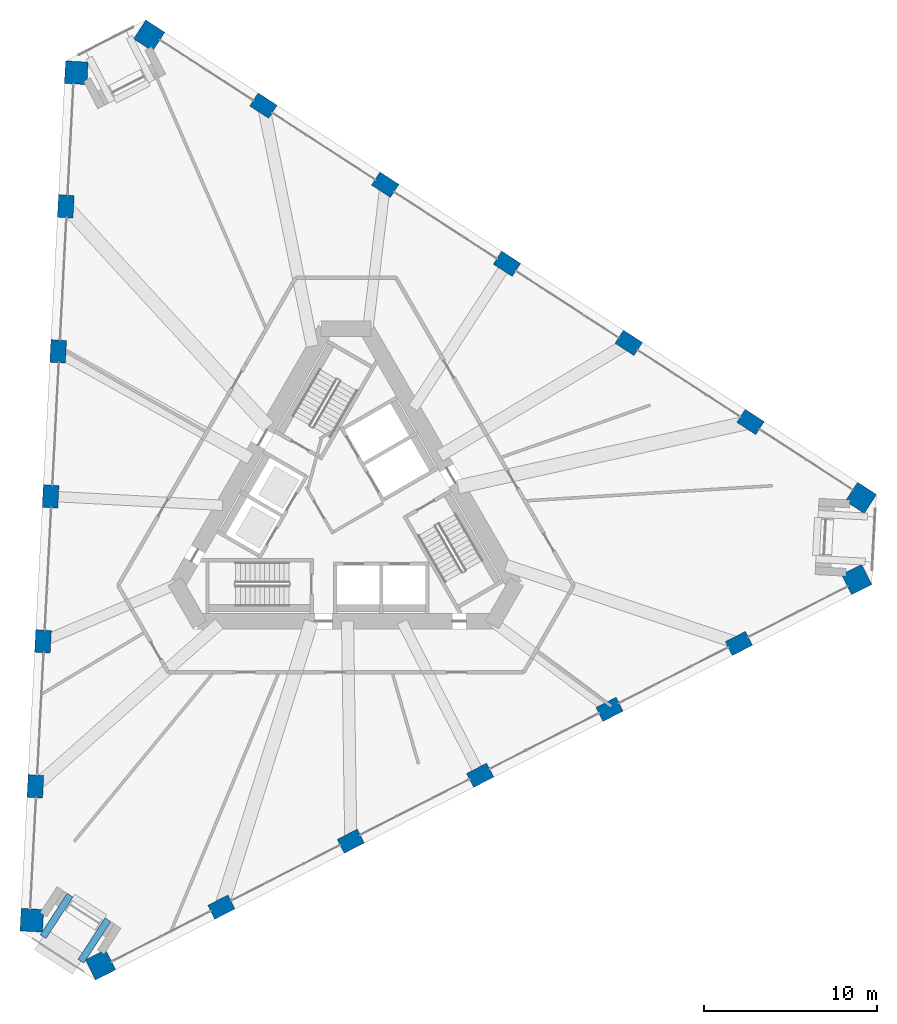
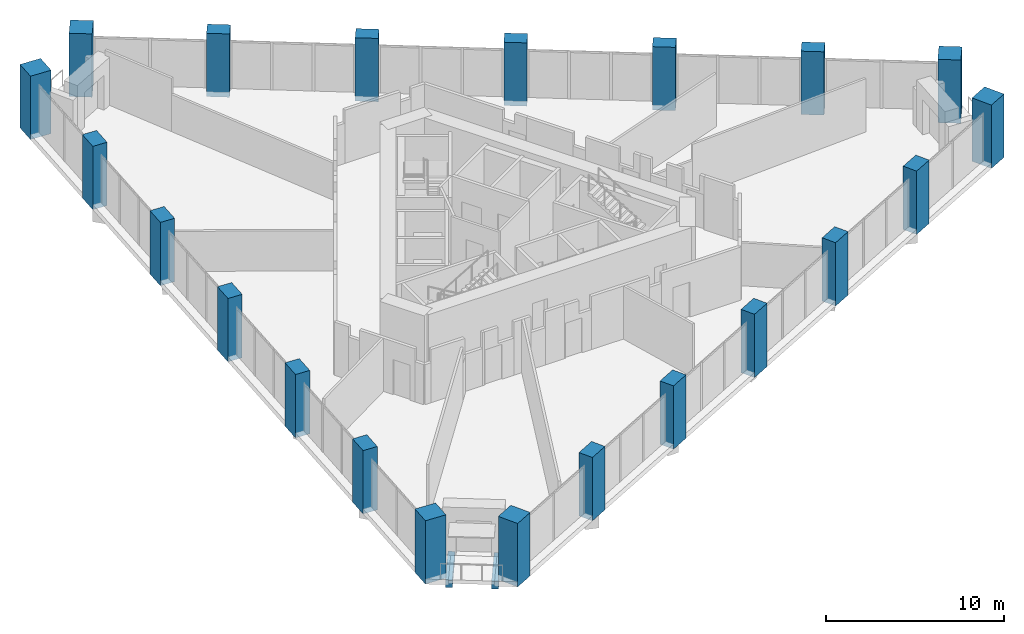
# One storey, part 1 of 18: 21 columns, 2 beams.
"""IFC4 building model written with IfcOpenShell, lengths in metres."""

from ifc_helpers import new_model, si_unit, direction, frame, origin, origin_2d, place, context, subcontext, project, spatial, rectangle, extrude, material, material_profile, profile_set, type_object, element, save


model = new_model("IFC4")

# Units and contexts
model_context = context("Model", 3, precision=1e-05, world=origin(), true_north=direction((0.0, 1.0)))
body_context = subcontext(model_context, "Body", "Model", "MODEL_VIEW")
ifc_project = project(units=[si_unit("LENGTHUNIT", "METRE"), si_unit("AREAUNIT", "SQUARE_METRE"), si_unit("VOLUMEUNIT", "CUBIC_METRE"), si_unit("PLANEANGLEUNIT", "RADIAN"), si_unit("MASSUNIT", "GRAM", prefix="KILO")], contexts=[model_context])

# Site, building, storey
site_placement = place(None, origin())
site = spatial("IfcSite", under=ifc_project, at=site_placement, CompositionType="ELEMENT")
building_placement = place(site_placement, origin())
building = spatial("IfcBuilding", under=site, at=building_placement, Name="Tramontana Tower", CompositionType="ELEMENT")
storey_placement = place(building_placement, frame((0.0, 0.0, 125.60009765625)))
storey = spatial("IfcBuildingStorey", under=building, at=storey_placement, Name="L28", CompositionType="ELEMENT", Elevation=125.60009765625)

# Columns
ifc_material_1 = material(Name="Concrete 70 MPa", Category="concrete")
ifc_material_profile_1 = material_profile(ifc_material_1, rectangle(XDim=1.300048828125, YDim=1.300048828125, at=origin_2d()), Name="Mega column 1300X1300 70 MPa")
ifc_profile_set_1 = profile_set([ifc_material_profile_1], Name="Concrete 70 MPa")
column_type_1 = type_object("IfcColumnType", Name="Mega column 1300X1300 70 MPa", PredefinedType="COLUMN", material=ifc_profile_set_1)
for number, where, z_axis, x_axis, name in (
    (1, (-15.546630859375, 25.31298828125, -0.35009765625), (0.0, 0.0, 1.0), (-0.052335956243, -0.998629534755, 0.0), "Mega column C3K1 L28"),
    (2, (-18.107177734375, -23.54931640625, -0.35009765625), (0.0, 0.0, 1.0), (-0.052335956243, -0.998629534755, 0.0), "Mega column C3K2 L28"),
    (3, (-14.1484375, -26.1201171875, -0.35009765625), (0.0, 0.0, 1.0), (0.891006524188, 0.45399049974, 0.0), "Mega column C3K3 L28"),
    (4, (29.447998046875, -3.90673828125, -0.35009765625), (0.0, 0.0, 1.0), (0.891006524188, 0.45399049974, 0.0), "Mega column C3K4 L28"),
    (5, (29.695068359375, 0.80712890625, -0.35009765625), (0.0, 0.0, 1.0), (-0.838670567945, 0.544639035015, 0.0), "Mega column C3K5 L28"),
    (6, (-11.340576171875, 27.4560546875, -0.35009765625), (0.0, 0.0, 1.0), (-0.838670567945, 0.544639035015, 0.0), "Mega column C3K6 L28"),
):
    element("IfcColumn", number, at=place(storey_placement, frame(where, z_axis=z_axis, x_axis=x_axis)), inside=storey, type_object=column_type_1, Name=name, PredefinedType="COLUMN", context=body_context, shape_type="SweptSolid", body=[
        extrude(rectangle(XDim=1.300048828125, YDim=1.300048828125, at=origin_2d()), origin(), (0.0, 0.0, 1.0), 4.35009765625),
    ])
ifc_material_2 = material(Name="Concrete 55 MPa", Category="concrete")
ifc_material_profile_2 = material_profile(ifc_material_2, rectangle(XDim=1.300048828125, YDim=0.89990234375, at=origin_2d()), Name="Pier column 1300X900 55 MPa")
ifc_profile_set_2 = profile_set([ifc_material_profile_2], Name="Concrete 55 MPa")
column_type_2 = type_object("IfcColumnType", Name="Pier column 1300X900 55 MPa", PredefinedType="COLUMN", material=ifc_profile_set_2)
for number, where, z_axis, x_axis, name in (
    (7, (-16.150390625, 17.612548828125, -0.35009765625), (0.0, 0.0, 1.0), (-0.052335956243, -0.998629534755, 0.0), "Pier column C3F01 L28"),
    (8, (-16.58837890625, 9.25244140625, -0.35009765625), (0.0, 0.0, 1.0), (-0.052335956243, -0.998629534755, 0.0), "Pier column C3F02 L28"),
    (9, (-17.026611328125, 0.892333984375, -0.35009765625), (0.0, 0.0, 1.0), (-0.052335956243, -0.998629534755, 0.0), "Pier column C3F03 L28"),
    (10, (-17.46484375, -7.4677734375, -0.35009765625), (0.0, 0.0, 1.0), (-0.052335956243, -0.998629534755, 0.0), "Pier column C3F04 L28"),
    (11, (-17.90283203125, -15.827880859375, -0.35009765625), (0.0, 0.0, 1.0), (-0.052335956243, -0.998629534755, 0.0), "Pier column C3F05 L28"),
    (12, (-7.177734375, -22.79296875, -0.35009765625), (0.0, 0.0, 1.0), (0.891006524188, 0.45399049974, 0.0), "Pier column C3F06 L28"),
    (13, (0.281494140625, -18.9921875, -0.35009765625), (0.0, 0.0, 1.0), (0.891006524188, 0.45399049974, 0.0), "Pier column C3F07 L28"),
    (14, (7.740478515625, -15.191650390625, -0.35009765625), (0.0, 0.0, 1.0), (0.891006524188, 0.45399049974, 0.0), "Pier column C3F08 L28"),
    (15, (15.19970703125, -11.39111328125, -0.35009765625), (0.0, 0.0, 1.0), (0.891006524188, 0.45399049974, 0.0), "Pier column C3F09 L28"),
    (16, (22.65869140625, -7.59033203125, -0.35009765625), (0.0, 0.0, 1.0), (0.891006524188, 0.45399049974, 0.0), "Pier column C3F10 L28"),
    (17, (23.328125, 5.180419921875, -0.35009765625), (0.0, 0.0, 1.0), (-0.838670567945, 0.544639035015, 0.0), "Pier column C3F11 L28"),
    (18, (16.30712890625, 9.73974609375, -0.35009765625), (0.0, 0.0, 1.0), (-0.838670567945, 0.544639035015, 0.0), "Pier column C3F12 L28"),
    (19, (9.2861328125, 14.29931640625, -0.35009765625), (0.0, 0.0, 1.0), (-0.838670567945, 0.544639035015, 0.0), "Pier column C3F13 L28"),
    (20, (2.26513671875, 18.85888671875, -0.35009765625), (0.0, 0.0, 1.0), (-0.838670567945, 0.544639035015, 0.0), "Pier column C3F14 L28"),
    (21, (-4.755859375, 23.418212890625, -0.35009765625), (0.0, 0.0, 1.0), (-0.838670567945, 0.544639035015, 0.0), "Pier column C3F15 L28"),
):
    element("IfcColumn", number, at=place(storey_placement, frame(where, z_axis=z_axis, x_axis=x_axis)), inside=storey, type_object=column_type_2, Name=name, PredefinedType="COLUMN", context=body_context, shape_type="SweptSolid", body=[
        extrude(rectangle(XDim=1.300048828125, YDim=0.89990234375, at=origin_2d()), origin(), (0.0, 0.0, 1.0), 4.35009765625),
    ])

# Beams
ifc_material_3 = material(Name="Concrete 40 MPa", Category="concrete")
ifc_material_profile_3 = material_profile(ifc_material_3, rectangle(XDim=0.39990234375, YDim=0.5, at=origin_2d()), Name="RC TRIM BEAM 400X500 40 MPa")
ifc_profile_set_3 = profile_set([ifc_material_profile_3], Name="Concrete 40 MPa")
beam_type = type_object("IfcBeamType", Name="RC TRIM BEAM 400X500 40 MPa", PredefinedType="JOIST", material=ifc_profile_set_3)
for number, where, z_axis, x_axis, name in (
    (22, (-17.456787109375, -24.493896484375, -0.60009765625), (0.544657090741, 0.838658842144, 0.0), (-0.838658842144, 0.544657090741, 0.0), "Tray beam K1L L28"),
    (23, (-15.276123046875, -25.91015625, -0.60009765625), (0.544657090741, 0.838658842144, 0.0), (-0.838658842144, 0.544657090741, 0.0), "Tray beam K1R L28"),
):
    element("IfcBeam", number, at=place(storey_placement, frame(where, z_axis=z_axis, x_axis=x_axis)), inside=storey, type_object=beam_type, Name=name, PredefinedType="JOIST", context=body_context, shape_type="SweptSolid", body=[
        extrude(rectangle(XDim=0.39990234375, YDim=0.5, at=origin_2d()), origin(), (0.0, 0.0, 1.0), 2.849853515625),
    ])

save(model, "model.ifc")
